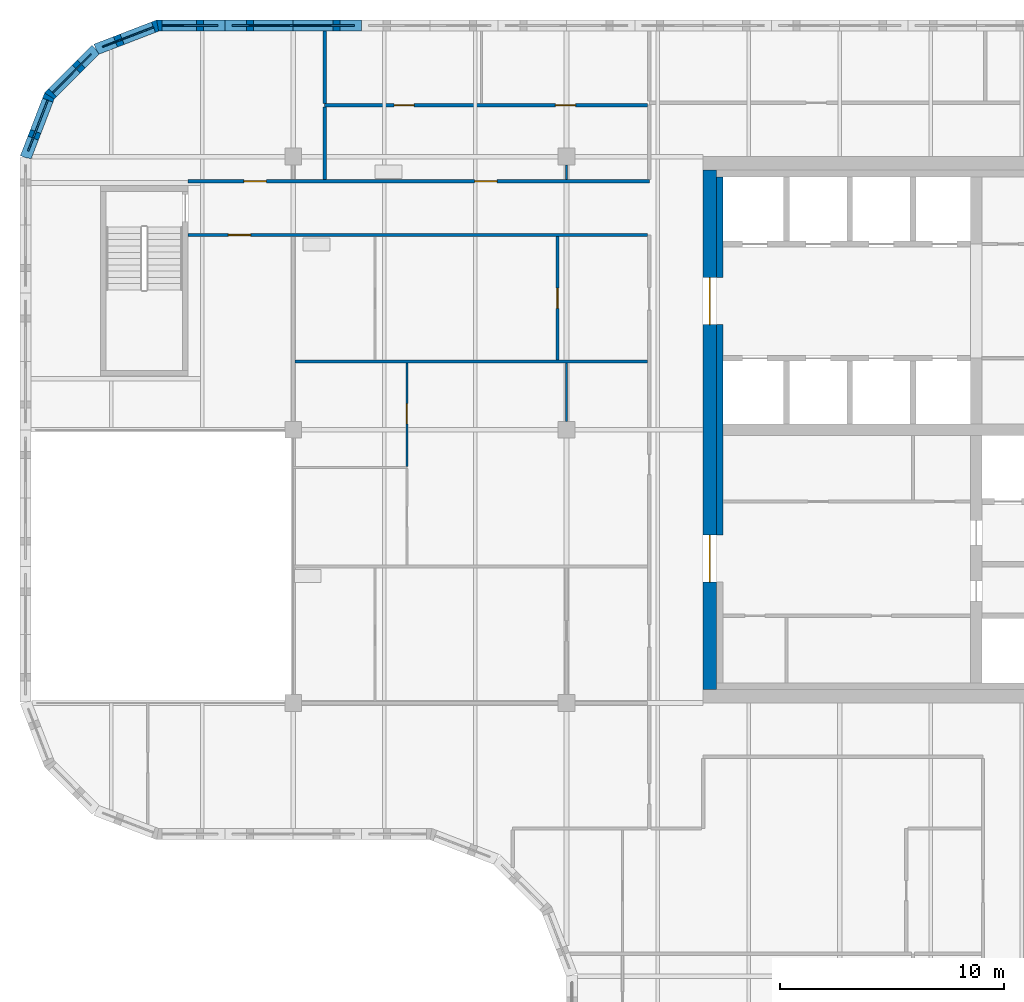
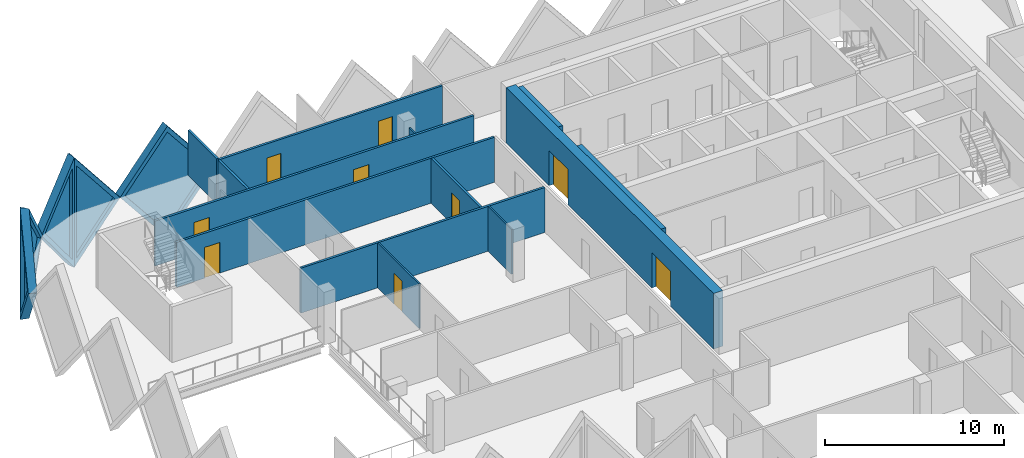
# One storey, part 7 of 12: 18 walls, 9 doors, 5 plates, 14 openings.
"""IFC4 building model written with IfcOpenShell, lengths in metres."""

from ifc_helpers import new_model, si_unit, direction, frame, frame_2d, origin, place, context, subcontext, project, spatial, polyline, rectangle, outline, extrude, faceted_brep, source, transform, mapped, material, layer, layer_set, type_object, element, fill, save


model = new_model("IFC4")

# Units and contexts
model_context = context("Model", 3, precision=1e-05, world=origin(), true_north=direction((0.0, 1.0)))
body_context = subcontext(model_context, "Body", "Model", "MODEL_VIEW")
ifc_project = project(units=[si_unit("LENGTHUNIT", "METRE"), si_unit("AREAUNIT", "SQUARE_METRE"), si_unit("VOLUMEUNIT", "CUBIC_METRE"), si_unit("PLANEANGLEUNIT", "RADIAN"), si_unit("MASSUNIT", "GRAM", prefix="KILO")], contexts=[model_context])

# Site, building, storey
site_placement = place(None, origin())
site = spatial("IfcSite", under=ifc_project, at=site_placement, CompositionType="ELEMENT")
building_placement = place(site_placement, origin())
building = spatial("IfcBuilding", under=site, at=building_placement, Name="Tessera Gate Towers", CompositionType="ELEMENT")
storey_placement = place(building_placement, frame((0.0, 0.0, 163.0)))
storey = spatial("IfcBuildingStorey", under=building, at=storey_placement, Name="L40", CompositionType="ELEMENT", Elevation=163.0)

# Wall, openings, doors
ifc_material_1 = material(Name="Concrete C50/60", Category="concrete")
ifc_layer_1 = layer(ifc_material_1, 0.60009765625)
ifc_layer_set_1 = layer_set([ifc_layer_1], Name="CORE SHEAR WALL 600 C50/60")
wall_type_1 = type_object("IfcWallType", Name="CORE SHEAR WALL 600 C50/60", PredefinedType="SHEAR", material=ifc_layer_set_1)
wall_1_placement = place(storey_placement, frame((30.800048828125, 25.0, 0.0), z_axis=(0.0, 0.0, 1.0), x_axis=(0.0, 1.0, 0.0)))
wall_1 = element("IfcWall", 1, at=wall_1_placement, inside=storey, type_object=wall_type_1, Name="Core wall W L40", PredefinedType="SHEAR", context=body_context, shape_type="SweptSolid", body=[
    extrude(rectangle(XDim=23.199951171875, YDim=0.60009765625, at=frame_2d((11.60009765625, 0.0))), origin(), (0.0, 0.0, 1.0), 3.800048828125),
])
shared_shape_1 = source(origin(), body_context, "Body", "SweptSolid", [
    extrude(rectangle(XDim=2.10009765625, YDim=2.39990234375, at=frame_2d((1.050048828125, 1.199951171875))), frame((0.0, 0.31005859375, 0.0), z_axis=(0.0, -1.0, 0.0), x_axis=(1.0, 0.0, 0.0)), (0.0, 0.0, 1.0), 0.6201171875),
])
opening_1_placement = place(wall_1_placement, frame((4.800048828125, 0.0, 0.0)))
opening_1 = element("IfcOpeningElement", 2, at=opening_1_placement, cuts=wall_1, Name="Opening DD-T1-26-02", PredefinedType="OPENING", context=body_context, shape_type="MappedRepresentation", body=[
    mapped(shared_shape_1, transform((0.0, 0.0, 0.0), scale=1.0)),
])
opening_2_placement = place(wall_1_placement, frame((16.300048828125, 0.0, 0.0)))
opening_2 = element("IfcOpeningElement", 3, at=opening_2_placement, cuts=wall_1, Name="Opening DD-T1-26-03", PredefinedType="OPENING", context=body_context, shape_type="MappedRepresentation", body=[
    mapped(shared_shape_1, transform((0.0, 0.0, 0.0), scale=1.0)),
])
ifc_material_2 = material(Name="Hollow steel fire door", Category="steel")
door_type_1 = type_object("IfcDoorType", Name="CORE DOOR DD 2100x2400", OperationType="NOTDEFINED", PredefinedType="DOOR", material=ifc_material_2)
shared_shape_2 = source(origin(), body_context, "Body", "SweptSolid", [
    extrude(rectangle(XDim=2.10009765625, YDim=2.39990234375, at=frame_2d((1.050048828125, 1.199951171875))), frame((0.0, 0.02490234375, 0.0), z_axis=(0.0, -1.0, 0.0), x_axis=(1.0, 0.0, 0.0)), (0.0, 0.0, 1.0), 0.050048828125),
])
door_1_placement = place(opening_1_placement, origin())
door_1 = element("IfcDoor", 4, at=door_1_placement, inside=storey, type_object=door_type_1, Name="Core entrance door", OperationType="DOUBLE_DOOR_SINGLE_SWING", OverallHeight=2.39990234375, OverallWidth=2.10009765625, PredefinedType="DOOR", context=body_context, shape_type="MappedRepresentation", body=[
    mapped(shared_shape_2, transform((0.0, 0.0, 0.0), scale=1.0)),
])
fill(opening_1, door_1)
door_2_placement = place(opening_2_placement, origin())
door_2 = element("IfcDoor", 5, at=door_2_placement, inside=storey, type_object=door_type_1, Name="Core entrance door", OperationType="DOUBLE_DOOR_SINGLE_SWING", OverallHeight=2.39990234375, OverallWidth=2.10009765625, PredefinedType="DOOR", context=body_context, shape_type="MappedRepresentation", body=[
    mapped(shared_shape_2, transform((0.0, 0.0, 0.0), scale=1.0)),
])
fill(opening_2, door_2)

# Walls
ifc_material_3 = material(Name="Concrete C50/60", Category="concrete")
ifc_layer_2 = layer(ifc_material_3, 0.300048828125)
ifc_layer_set_2 = layer_set([ifc_layer_2], Name="CORE WALL THICKENING 300")
wall_type_2 = type_object("IfcWallType", Name="CORE WALL THICKENING 300", PredefinedType="SOLIDWALL", material=ifc_layer_set_2)
wall_2_placement = place(storey_placement, frame((31.25, 31.89990234375, 0.0), z_axis=(0.0, 0.0, 1.0), x_axis=(0.0, 1.0, 0.0)))
element("IfcWall", 6, at=wall_2_placement, inside=storey, type_object=wall_type_2, Name="Core wall thickening W L40", PredefinedType="SOLIDWALL", context=body_context, shape_type="SweptSolid", body=[
    extrude(rectangle(XDim=9.400146484375, YDim=0.300048828125, at=frame_2d((4.7001953125, 0.0))), origin(), (0.0, 0.0, 1.0), 3.800048828125),
])
wall_3_placement = place(storey_placement, frame((31.25, 43.39990234375, 0.0), z_axis=(0.0, 0.0, 1.0), x_axis=(0.0, 1.0, 0.0)))
element("IfcWall", 7, at=wall_3_placement, inside=storey, type_object=wall_type_2, Name="Core wall thickening W L40", PredefinedType="SOLIDWALL", context=body_context, shape_type="SweptSolid", body=[
    extrude(rectangle(XDim=4.5, YDim=0.300048828125, at=frame_2d((2.25, 0.0))), origin(), (0.0, 0.0, 1.0), 3.800048828125),
])

# Wall, opening, door
ifc_material_4 = material(Name="Gypsum board on steel studs, mineral wool", Category="steel")
ifc_layer_3 = layer(ifc_material_4, 0.14990234375)
ifc_layer_set_3 = layer_set([ifc_layer_3], Name="CORRIDOR WALL 150")
wall_type_3 = type_object("IfcWallType", Name="CORRIDOR WALL 150", PredefinedType="PARTITIONING", material=ifc_layer_set_3)
wall_4_placement = place(storey_placement, frame((28.02392578125, 45.300048828125, 0.0), z_axis=(0.0, 0.0, 1.0), x_axis=(-1.0, 0.0, 0.0)))
wall_4 = element("IfcWall", 8, at=wall_4_placement, inside=storey, type_object=wall_type_3, Name="T1-L40-PW-039", PredefinedType="PARTITIONING", context=body_context, shape_type="SweptSolid", body=[
    extrude(rectangle(XDim=20.52392578125, YDim=0.14990234375, at=frame_2d((10.261962890625, 0.0))), origin(), (0.0, 0.0, 1.0), 3.06689453125),
])
shared_shape_3 = source(origin(), body_context, "Body", "SweptSolid", [
    extrude(rectangle(XDim=1.0, YDim=2.10009765625, at=frame_2d((0.5, 1.050048828125))), frame((0.0, 0.0849609375, 0.0), z_axis=(0.0, -1.0, 0.0), x_axis=(1.0, 0.0, 0.0)), (0.0, 0.0, 1.0), 0.169921875),
])
opening_3_placement = place(wall_4_placement, frame((17.72412109375, 0.0, 0.0)))
opening_3 = element("IfcOpeningElement", 9, at=opening_3_placement, cuts=wall_4, Name="Opening D2100FD60-A14-01", PredefinedType="OPENING", context=body_context, shape_type="MappedRepresentation", body=[
    mapped(shared_shape_3, transform((0.0, 0.0, 0.0), scale=1.0)),
])
ifc_material_5 = material(Name="Timber door leaf in steel frame", Category="steel")
door_type_2 = type_object("IfcDoorType", Name="TENANCY ENTRANCE DOOR 1000 FD60", OperationType="NOTDEFINED", PredefinedType="DOOR", material=ifc_material_5)
shared_shape_4 = source(origin(), body_context, "Body", "SweptSolid", [
    extrude(rectangle(XDim=1.0, YDim=2.10009765625, at=frame_2d((0.5, 1.050048828125))), frame((0.0, 0.02490234375, 0.0), z_axis=(0.0, -1.0, 0.0), x_axis=(1.0, 0.0, 0.0)), (0.0, 0.0, 1.0), 0.050048828125),
])
door_3_placement = place(opening_3_placement, origin())
door_3 = element("IfcDoor", 10, at=door_3_placement, inside=storey, type_object=door_type_2, Name="T1-L40-PD-005", OperationType="SINGLE_SWING_RIGHT", OverallHeight=2.10009765625, OverallWidth=1.0, PredefinedType="DOOR", context=body_context, shape_type="MappedRepresentation", body=[
    mapped(shared_shape_4, transform((0.0, 0.0, 0.0), scale=1.0)),
])
fill(opening_3, door_3)

# Wall, openings, doors
wall_5_placement = place(storey_placement, frame((7.5, 47.699951171875, 0.0), z_axis=(0.0, 0.0, 1.0), x_axis=(1.0, 0.0, 0.0)))
wall_5 = element("IfcWall", 11, at=wall_5_placement, inside=storey, type_object=wall_type_3, Name="T1-L40-PW-040", PredefinedType="PARTITIONING", context=body_context, shape_type="SweptSolid", body=[
    extrude(rectangle(XDim=20.60009765625, YDim=0.14990234375, at=frame_2d((10.300048828125, 0.0))), origin(), (0.0, 0.0, 1.0), 3.06689453125),
])
opening_4_placement = place(wall_5_placement, frame((2.5, 0.0, 0.0)))
opening_4 = element("IfcOpeningElement", 12, at=opening_4_placement, cuts=wall_5, Name="Opening D2100FD60-A14-05", PredefinedType="OPENING", context=body_context, shape_type="MappedRepresentation", body=[
    mapped(shared_shape_3, transform((0.0, 0.0, 0.0), scale=1.0)),
])
opening_5_placement = place(wall_5_placement, frame((12.800048828125, 0.0, 0.0)))
opening_5 = element("IfcOpeningElement", 13, at=opening_5_placement, cuts=wall_5, Name="Opening D2100FD60-A14-09", PredefinedType="OPENING", context=body_context, shape_type="MappedRepresentation", body=[
    mapped(shared_shape_3, transform((0.0, 0.0, 0.0), scale=1.0)),
])
door_4_placement = place(opening_4_placement, origin())
door_4 = element("IfcDoor", 14, at=door_4_placement, inside=storey, type_object=door_type_2, Name="T1-L40-PD-016", OperationType="SINGLE_SWING_LEFT", OverallHeight=2.10009765625, OverallWidth=1.0, PredefinedType="DOOR", context=body_context, shape_type="MappedRepresentation", body=[
    mapped(shared_shape_4, transform((0.0, 0.0, 0.0), scale=1.0)),
])
fill(opening_4, door_4)
door_5_placement = place(opening_5_placement, origin())
door_5 = element("IfcDoor", 15, at=door_5_placement, inside=storey, type_object=door_type_2, Name="T1-L40-PD-026", OperationType="SINGLE_SWING_LEFT", OverallHeight=2.10009765625, OverallWidth=1.0, PredefinedType="DOOR", context=body_context, shape_type="MappedRepresentation", body=[
    mapped(shared_shape_4, transform((0.0, 0.0, 0.0), scale=1.0)),
])
fill(opening_5, door_5)

# Wall, opening, door
ifc_material_6 = material(Name="Gypsum board on steel studs", Category="steel")
ifc_layer_4 = layer(ifc_material_6, 0.10009765625)
ifc_layer_set_4 = layer_set([ifc_layer_4], Name="PARTITION 100")
wall_type_4 = type_object("IfcWallType", Name="PARTITION 100", PredefinedType="PARTITIONING", material=ifc_layer_set_4)
wall_6_placement = place(storey_placement, frame((17.27490234375, 34.97119140625, 0.0), z_axis=(0.0, 0.0, 1.0), x_axis=(0.0, 1.0, 0.0)))
wall_6 = element("IfcWall", 16, at=wall_6_placement, inside=storey, type_object=wall_type_4, Name="T1-L40-PW-033", PredefinedType="PARTITIONING", context=body_context, shape_type="SweptSolid", body=[
    extrude(rectangle(XDim=4.602783203125, YDim=0.10009765625, at=frame_2d((2.30126953125, 0.0))), origin(), (0.0, 0.0, 1.0), 3.06689453125),
])
shared_shape_5 = source(origin(), body_context, "Body", "SweptSolid", [
    extrude(rectangle(XDim=0.89990234375, YDim=2.10009765625, at=frame_2d((0.449951171875, 1.050048828125))), frame((0.0, 0.06005859375, 0.0), z_axis=(0.0, -1.0, 0.0), x_axis=(1.0, 0.0, 0.0)), (0.0, 0.0, 1.0), 0.1201171875),
])
opening_6_placement = place(wall_6_placement, frame((1.89990234375, 0.0, 0.0)))
opening_6 = element("IfcOpeningElement", 17, at=opening_6_placement, cuts=wall_6, Name="Opening D190-A14-03", PredefinedType="OPENING", context=body_context, shape_type="MappedRepresentation", body=[
    mapped(shared_shape_5, transform((0.0, 0.0, 0.0), scale=1.0)),
])
ifc_material_7 = material(Name="Timber door leaf in steel frame", Category="steel")
door_type_3 = type_object("IfcDoorType", Name="INTERNAL DOOR 900 NOT RATED", OperationType="NOTDEFINED", PredefinedType="DOOR", material=ifc_material_7)
shared_shape_6 = source(origin(), body_context, "Body", "SweptSolid", [
    extrude(rectangle(XDim=0.89990234375, YDim=2.10009765625, at=frame_2d((0.449951171875, 1.050048828125))), frame((0.0, 0.02490234375, 0.0), z_axis=(0.0, -1.0, 0.0), x_axis=(1.0, 0.0, 0.0)), (0.0, 0.0, 1.0), 0.050048828125),
])
door_6_placement = place(opening_6_placement, origin())
door_6 = element("IfcDoor", 18, at=door_6_placement, inside=storey, type_object=door_type_3, Name="T1-L40-PD-004", OperationType="SINGLE_SWING_LEFT", OverallHeight=2.10009765625, OverallWidth=0.89990234375, PredefinedType="DOOR", context=body_context, shape_type="MappedRepresentation", body=[
    mapped(shared_shape_6, transform((0.0, 0.0, 0.0), scale=1.0)),
])
fill(opening_6, door_6)

# Walls
wall_7_placement = place(storey_placement, frame((24.39990234375, 36.97509765625, 0.0), z_axis=(0.0, 0.0, 1.0), x_axis=(0.0, 1.0, 0.0)))
element("IfcWall", 19, at=wall_7_placement, inside=storey, type_object=wall_type_4, Name="T1-L40-PW-035", PredefinedType="PARTITIONING", context=body_context, shape_type="SweptSolid", body=[
    extrude(rectangle(XDim=2.599853515625, YDim=0.10009765625, at=frame_2d((1.2998046875, 0.0))), origin(), (0.0, 0.0, 1.0), 3.06689453125),
])
wall_8_placement = place(storey_placement, frame((24.39990234375, 48.425048828125, 0.0), z_axis=(0.0, 0.0, 1.0), x_axis=(0.0, -1.0, 0.0)))
element("IfcWall", 20, at=wall_8_placement, inside=storey, type_object=wall_type_4, Name="T1-L40-PW-044", PredefinedType="PARTITIONING", context=body_context, shape_type="SweptSolid", body=[
    extrude(rectangle(XDim=0.650146484375, YDim=0.10009765625, at=frame_2d((0.3251953125, 0.0))), origin(), (0.0, 0.0, 1.0), 3.06689453125),
])
ifc_material_8 = material(Name="Gypsum board on steel studs, mineral wool", Category="steel")
ifc_layer_5 = layer(ifc_material_8, 0.14990234375)
ifc_layer_set_5 = layer_set([ifc_layer_5], Name="TENANCY WALL 150")
wall_type_5 = type_object("IfcWallType", Name="TENANCY WALL 150", PredefinedType="PARTITIONING", material=ifc_layer_set_5)
wall_9_placement = place(storey_placement, frame((12.27587890625, 39.64990234375, 0.0), z_axis=(0.0, 0.0, 1.0), x_axis=(1.0, 0.0, 0.0)))
element("IfcWall", 21, at=wall_9_placement, inside=storey, type_object=wall_type_5, Name="T1-L40-PW-036", PredefinedType="PARTITIONING", context=body_context, shape_type="SweptSolid", body=[
    extrude(rectangle(XDim=15.748046875, YDim=0.14990234375, at=frame_2d((7.8740234375, 0.0))), origin(), (0.0, 0.0, 1.0), 3.06689453125),
])

# Wall, opening, door
wall_10_placement = place(storey_placement, frame((24.0, 39.72607421875, 0.0), z_axis=(0.0, 0.0, 1.0), x_axis=(0.0, 1.0, 0.0)))
wall_10 = element("IfcWall", 22, at=wall_10_placement, inside=storey, type_object=wall_type_5, Name="T1-L40-PW-038", PredefinedType="PARTITIONING", context=body_context, shape_type="SweptSolid", body=[
    extrude(rectangle(XDim=5.498046875, YDim=0.14990234375, at=frame_2d((2.7490234375, 0.0))), origin(), (0.0, 0.0, 1.0), 3.06689453125),
])
shared_shape_7 = source(origin(), body_context, "Body", "SweptSolid", [
    extrude(rectangle(XDim=0.89990234375, YDim=2.10009765625, at=frame_2d((0.449951171875, 1.050048828125))), frame((0.0, 0.0849609375, 0.0), z_axis=(0.0, -1.0, 0.0), x_axis=(1.0, 0.0, 0.0)), (0.0, 0.0, 1.0), 0.169921875),
])
opening_7_placement = place(wall_10_placement, frame((2.300048828125, 0.0, 0.0)))
opening_7 = element("IfcOpeningElement", 23, at=opening_7_placement, cuts=wall_10, Name="Opening D190-A14-05", PredefinedType="OPENING", context=body_context, shape_type="MappedRepresentation", body=[
    mapped(shared_shape_7, transform((0.0, 0.0, 0.0), scale=1.0)),
])
door_7_placement = place(opening_7_placement, origin())
door_7 = element("IfcDoor", 24, at=door_7_placement, inside=storey, type_object=door_type_3, Name="T1-L40-PD-008", OperationType="SINGLE_SWING_LEFT", OverallHeight=2.10009765625, OverallWidth=0.89990234375, PredefinedType="DOOR", context=body_context, shape_type="MappedRepresentation", body=[
    mapped(shared_shape_6, transform((0.0, 0.0, 0.0), scale=1.0)),
])
fill(opening_7, door_7)

# Wall
wall_11_placement = place(storey_placement, frame((13.60009765625, 47.77587890625, 0.0), z_axis=(0.0, 0.0, 1.0), x_axis=(0.0, 1.0, 0.0)))
element("IfcWall", 25, at=wall_11_placement, inside=storey, type_object=wall_type_5, Name="T1-L40-PW-041", PredefinedType="PARTITIONING", context=body_context, shape_type="SweptSolid", body=[
    extrude(rectangle(XDim=3.248046875, YDim=0.14990234375, at=frame_2d((1.6240234375, 0.0))), origin(), (0.0, 0.0, 1.0), 3.06689453125),
])

# Wall, openings, doors
wall_12_placement = place(storey_placement, frame((13.60009765625, 51.10009765625, 0.0), z_axis=(0.0, 0.0, 1.0), x_axis=(1.0, 0.0, 0.0)))
wall_12 = element("IfcWall", 26, at=wall_12_placement, inside=storey, type_object=wall_type_5, Name="T1-L40-PW-045", PredefinedType="PARTITIONING", context=body_context, shape_type="SweptSolid", body=[
    extrude(rectangle(XDim=14.423828125, YDim=0.14990234375, at=frame_2d((7.2119140625, 0.0))), origin(), (0.0, 0.0, 1.0), 3.06689453125),
])
opening_8_placement = place(wall_12_placement, frame((3.10009765625, 0.0, 0.0)))
opening_8 = element("IfcOpeningElement", 27, at=opening_8_placement, cuts=wall_12, Name="Opening D190-A14-10", PredefinedType="OPENING", context=body_context, shape_type="MappedRepresentation", body=[
    mapped(shared_shape_7, transform((0.0, 0.0, 0.0), scale=1.0)),
])
opening_9_placement = place(wall_12_placement, frame((10.3046875, 0.0, 0.0)))
opening_9 = element("IfcOpeningElement", 28, at=opening_9_placement, cuts=wall_12, Name="Opening D190-A14-11", PredefinedType="OPENING", context=body_context, shape_type="MappedRepresentation", body=[
    mapped(shared_shape_7, transform((0.0, 0.0, 0.0), scale=1.0)),
])
door_8_placement = place(opening_8_placement, origin())
door_8 = element("IfcDoor", 29, at=door_8_placement, inside=storey, type_object=door_type_3, Name="T1-L40-PD-018", OperationType="SINGLE_SWING_LEFT", OverallHeight=2.10009765625, OverallWidth=0.89990234375, PredefinedType="DOOR", context=body_context, shape_type="MappedRepresentation", body=[
    mapped(shared_shape_6, transform((0.0, 0.0, 0.0), scale=1.0)),
])
fill(opening_8, door_8)
door_9_placement = place(opening_9_placement, origin())
door_9 = element("IfcDoor", 30, at=door_9_placement, inside=storey, type_object=door_type_3, Name="T1-L40-PD-019", OperationType="SINGLE_SWING_LEFT", OverallHeight=2.10009765625, OverallWidth=0.89990234375, PredefinedType="DOOR", context=body_context, shape_type="MappedRepresentation", body=[
    mapped(shared_shape_6, transform((0.0, 0.0, 0.0), scale=1.0)),
])
fill(opening_9, door_9)

# Wall
wall_13_placement = place(storey_placement, frame((13.60009765625, 51.176025390625, 0.0), z_axis=(0.0, 0.0, 1.0), x_axis=(0.0, 1.0, 0.0)))
element("IfcWall", 31, at=wall_13_placement, inside=storey, type_object=wall_type_5, Name="T1-L40-PW-046", PredefinedType="PARTITIONING", context=body_context, shape_type="SweptSolid", body=[
    extrude(rectangle(XDim=3.223876953125, YDim=0.14990234375, at=frame_2d((1.61181640625, 0.0))), origin(), (0.0, 0.0, 1.0), 3.06689453125),
])

# Wall, opening, plate
ifc_material_9 = material(Name="Precast concrete C60/75 white", Category="concrete")
ifc_layer_6 = layer(ifc_material_9, 0.5)
ifc_layer_set_6 = layer_set([ifc_layer_6], Name="TS1 tessera")
wall_type_6 = type_object("IfcWallType", Name="TS1 tessera", PredefinedType="SOLIDWALL", material=ifc_layer_set_6)
shared_shape_8 = source(origin(), body_context, "Body", "SweptSolid", [
    extrude(outline(polyline([(3.050048828125, 0.0), (6.10009765625, 3.800048828125), (3.050048828125, 7.60009765625), (0.0, 3.800048828125), (3.050048828125, 0.0)])), frame((0.0, 0.25, 0.0), z_axis=(0.0, -1.0, 0.0), x_axis=(1.0, 0.0, 0.0)), (0.0, 0.0, 1.0), 0.5),
])
wall_14_placement = place(storey_placement, frame((15.25, 54.64990234375, -3.800048828125), z_axis=(0.0, 0.0, 1.0), x_axis=(-1.0, 0.0, 0.0)))
wall_14 = element("IfcWall", 32, at=wall_14_placement, inside=storey, type_object=wall_type_6, Name="Precast tessera T1 TS1-0683", PredefinedType="SOLIDWALL", context=body_context, shape_type="MappedRepresentation", body=[
    mapped(shared_shape_8, transform((0.0, 0.0, 0.0), scale=1.0)),
])
shared_shape_9 = source(origin(), body_context, "Body", "SweptSolid", [
    extrude(outline(polyline([(3.050048828125, 0.3994140625), (5.779541015625, 3.800048828125), (3.050048828125, 7.20068359375), (0.320556640625, 3.800048828125), (3.050048828125, 0.3994140625)])), frame((0.0, 0.260009765625, 0.0), z_axis=(0.0, -1.0, 0.0), x_axis=(1.0, 0.0, 0.0)), (0.0, 0.0, 1.0), 0.52001953125),
])
opening_10_placement = place(wall_14_placement, origin())
opening_10 = element("IfcOpeningElement", 33, at=opening_10_placement, cuts=wall_14, Name="Opening T1-PL2-1389", PredefinedType="OPENING", context=body_context, shape_type="MappedRepresentation", body=[
    mapped(shared_shape_9, transform((0.0, 0.0, 0.0), scale=1.0)),
])
ifc_material_10 = material(Name="Low-e laminated glass", Category="glass")
ifc_layer_7 = layer(ifc_material_10, 0.06005859375)
ifc_layer_set_7 = layer_set([ifc_layer_7], Name="PL2 rhombic pane")
plate_type = type_object("IfcPlateType", Name="PL2 rhombic pane", PredefinedType="SHEET", material=ifc_layer_set_7)
shared_shape_10 = source(origin(), body_context, "Body", "SweptSolid", [
    extrude(outline(polyline([(3.050048828125, 0.3994140625), (5.779541015625, 3.800048828125), (3.050048828125, 7.20068359375), (0.320556640625, 3.800048828125), (3.050048828125, 0.3994140625)])), frame((0.0, 0.030029296875, 0.0), z_axis=(0.0, -1.0, 0.0), x_axis=(1.0, 0.0, 0.0)), (0.0, 0.0, 1.0), 0.06005859375),
])
plate_1_placement = place(opening_10_placement, origin())
plate_1 = element("IfcPlate", 34, at=plate_1_placement, inside=storey, type_object=plate_type, Name="Glass pane T1 PL2-1389", PredefinedType="SHEET", context=body_context, shape_type="MappedRepresentation", body=[
    mapped(shared_shape_10, transform((0.0, 0.0, 0.0), scale=1.0)),
])
fill(opening_10, plate_1)

ifc_material_11 = material(Name="Precast concrete C60/75 white", Category="concrete")
ifc_layer_8 = layer(ifc_material_11, 0.5)
ifc_layer_set_8 = layer_set([ifc_layer_8], Name="TS3 corner tessera")
wall_type_7 = type_object("IfcWallType", Name="TS3 corner tessera", PredefinedType="SOLIDWALL", material=ifc_layer_set_8)
shared_shape_11 = source(origin(), body_context, "Body", "Brep", [
    faceted_brep([(3.00341796875, -0.25, 0.0), (3.050048828125, -0.25, 0.06005859375), (3.050048828125, -0.25, 7.5400390625), (3.00341796875, -0.25, 7.60009765625), (0.0, -0.25, 3.800048828125), (0.0, 0.25, 3.800048828125), (2.956787109375, 0.25, 7.541259765625), (2.956787109375, 0.25, 0.058837890625), (3.00341796875, 0.000244140625, 0.0), (3.00341796875, 0.000244140625, 7.60009765625)], [[[0, 1, 2, 3, 4]], [[5, 6, 7]], [[1, 0, 8]], [[9, 3, 2]], [[6, 5, 4, 3, 9]], [[5, 7, 8, 0, 4]], [[1, 8, 7, 6, 9, 2]]]),
])
wall_15_placement = place(storey_placement, frame((9.14990234375, 54.64990234375, -3.800048828125), z_axis=(0.0, 0.0, 1.0), x_axis=(-1.0, 0.0, 0.0)))
wall_15 = element("IfcWall", 35, at=wall_15_placement, inside=storey, type_object=wall_type_7, Name="Precast corner tessera T1 TS3-0923", PredefinedType="SOLIDWALL", context=body_context, shape_type="MappedRepresentation", body=[
    mapped(shared_shape_11, transform((0.0, 0.0, 0.0), scale=1.0)),
])
shared_shape_12 = source(origin(), body_context, "Body", "SweptSolid", [
    extrude(outline(polyline([(2.803466796875, 6.94384765625), (0.318603515625, 3.800048828125), (2.803466796875, 0.65625), (2.803466796875, 6.94384765625)])), frame((0.0, 0.260009765625, 0.0), z_axis=(0.0, -1.0, 0.0), x_axis=(1.0, 0.0, 0.0)), (0.0, 0.0, 1.0), 0.52001953125),
])
opening_11_placement = place(wall_15_placement, origin())
opening_11 = element("IfcOpeningElement", 36, at=opening_11_placement, cuts=wall_15, Name="Opening T1-PL2-1390", PredefinedType="OPENING", context=body_context, shape_type="MappedRepresentation", body=[
    mapped(shared_shape_12, transform((0.0, 0.0, 0.0), scale=1.0)),
])
shared_shape_13 = source(origin(), body_context, "Body", "SweptSolid", [
    extrude(outline(polyline([(2.803466796875, 6.94384765625), (0.318603515625, 3.800048828125), (2.803466796875, 0.65625), (2.803466796875, 6.94384765625)])), frame((0.0, 0.030029296875, 0.0), z_axis=(0.0, -1.0, 0.0), x_axis=(1.0, 0.0, 0.0)), (0.0, 0.0, 1.0), 0.06005859375),
])
plate_2_placement = place(opening_11_placement, origin())
plate_2 = element("IfcPlate", 37, at=plate_2_placement, inside=storey, type_object=plate_type, Name="Glass pane T1 PL2-1390", PredefinedType="SHEET", context=body_context, shape_type="MappedRepresentation", body=[
    mapped(shared_shape_13, transform((0.0, 0.0, 0.0), scale=1.0)),
])
fill(opening_11, plate_2)

shared_shape_14 = source(origin(), body_context, "Body", "Brep", [
    faceted_brep([(0.046630859375, -0.25, 0.0), (2.9970703125, -0.25, 3.800048828125), (0.046630859375, -0.25, 7.60009765625), (0.0, -0.25, 7.541259765625), (0.0, -0.25, 0.058837890625), (0.09326171875, 0.25, 7.5400390625), (2.9443359375, 0.25, 3.8681640625), (2.9443359375, 0.25, 3.73193359375), (0.09326171875, 0.25, 0.06005859375), (2.9970703125, 0.00048828125, 3.800048828125), (0.046630859375, 0.0, 0.0), (0.046630859375, 0.0, 7.60009765625)], [[[0, 1, 2, 3, 4]], [[5, 6, 7, 8]], [[8, 7, 9, 1, 0, 10]], [[6, 5, 11, 2, 1, 9]], [[3, 2, 11]], [[10, 0, 4]], [[8, 10, 4, 3, 11, 5]], [[9, 7, 6]]]),
])
wall_16_placement = place(storey_placement, frame((6.18994140625, 54.666748046875, -3.800048828125), z_axis=(0.0, 0.0, 1.0), x_axis=(-0.932990326376, -0.359901446078, 0.0)))
wall_16 = element("IfcWall", 38, at=wall_16_placement, inside=storey, type_object=wall_type_7, Name="Precast corner tessera T1 TS3-0924", PredefinedType="SOLIDWALL", context=body_context, shape_type="MappedRepresentation", body=[
    mapped(shared_shape_14, transform((0.0, 0.0, 0.0), scale=1.0)),
])
shared_shape_15 = source(origin(), body_context, "Body", "SweptSolid", [
    extrude(outline(polyline([(0.24658203125, 0.665283203125), (2.6806640625, 3.800048828125), (0.24658203125, 6.934814453125), (0.24658203125, 0.665283203125)])), frame((0.0, 0.260009765625, 0.0), z_axis=(0.0, -1.0, 0.0), x_axis=(1.0, 0.0, 0.0)), (0.0, 0.0, 1.0), 0.52001953125),
])
opening_12_placement = place(wall_16_placement, origin())
opening_12 = element("IfcOpeningElement", 39, at=opening_12_placement, cuts=wall_16, Name="Opening T1-PL2-1391", PredefinedType="OPENING", context=body_context, shape_type="MappedRepresentation", body=[
    mapped(shared_shape_15, transform((0.0, 0.0, 0.0), scale=1.0)),
])
shared_shape_16 = source(origin(), body_context, "Body", "SweptSolid", [
    extrude(outline(polyline([(0.24658203125, 0.665283203125), (2.6806640625, 3.800048828125), (0.24658203125, 6.934814453125), (0.24658203125, 0.665283203125)])), frame((0.0, 0.030029296875, 0.0), z_axis=(0.0, -1.0, 0.0), x_axis=(1.0, 0.0, 0.0)), (0.0, 0.0, 1.0), 0.06005859375),
])
plate_3_placement = place(opening_12_placement, origin())
plate_3 = element("IfcPlate", 40, at=plate_3_placement, inside=storey, type_object=plate_type, Name="Glass pane T1 PL2-1391", PredefinedType="SHEET", context=body_context, shape_type="MappedRepresentation", body=[
    mapped(shared_shape_16, transform((0.0, 0.0, 0.0), scale=1.0)),
])
fill(opening_12, plate_3)

shared_shape_17 = source(origin(), body_context, "Body", "Brep", [
    faceted_brep([(0.052978515625, -0.25, 0.0), (3.00341796875, -0.25, 3.800048828125), (0.052978515625, -0.25, 7.60009765625), (0.0, -0.25, 7.53173828125), (0.0, -0.25, 0.068359375), (0.10595703125, 0.25, 7.531982421875), (2.95703125, 0.25, 3.85986328125), (2.95703125, 0.25, 3.740234375), (0.10595703125, 0.25, 0.068115234375), (3.00341796875, 0.00048828125, 3.800048828125), (0.052978515625, 0.0, 0.0), (0.052978515625, 0.0, 7.60009765625)], [[[0, 1, 2, 3, 4]], [[5, 6, 7, 8]], [[8, 7, 9, 1, 0, 10]], [[6, 5, 11, 2, 1, 9]], [[3, 2, 11]], [[10, 0, 4]], [[8, 10, 4, 3, 11, 5]], [[9, 7, 6]]]),
])
wall_17_placement = place(storey_placement, frame((1.3310546875, 51.5556640625, -3.800048828125), z_axis=(0.0, 0.0, 1.0), x_axis=(-0.35992665181, -0.932980602862, 0.0)))
wall_17 = element("IfcWall", 41, at=wall_17_placement, inside=storey, type_object=wall_type_7, Name="Precast corner tessera T1 TS3-0926", PredefinedType="SOLIDWALL", context=body_context, shape_type="MappedRepresentation", body=[
    mapped(shared_shape_17, transform((0.0, 0.0, 0.0), scale=1.0)),
])
shared_shape_18 = source(origin(), body_context, "Body", "SweptSolid", [
    extrude(outline(polyline([(0.2529296875, 0.665283203125), (2.68701171875, 3.800048828125), (0.2529296875, 6.934814453125), (0.2529296875, 0.665283203125)])), frame((0.0, 0.260009765625, 0.0), z_axis=(0.0, -1.0, 0.0), x_axis=(1.0, 0.0, 0.0)), (0.0, 0.0, 1.0), 0.52001953125),
])
opening_13_placement = place(wall_17_placement, origin())
opening_13 = element("IfcOpeningElement", 42, at=opening_13_placement, cuts=wall_17, Name="Opening T1-PL2-1393", PredefinedType="OPENING", context=body_context, shape_type="MappedRepresentation", body=[
    mapped(shared_shape_18, transform((0.0, 0.0, 0.0), scale=1.0)),
])
shared_shape_19 = source(origin(), body_context, "Body", "SweptSolid", [
    extrude(outline(polyline([(0.2529296875, 0.665283203125), (2.68701171875, 3.800048828125), (0.2529296875, 6.934814453125), (0.2529296875, 0.665283203125)])), frame((0.0, 0.030029296875, 0.0), z_axis=(0.0, -1.0, 0.0), x_axis=(1.0, 0.0, 0.0)), (0.0, 0.0, 1.0), 0.06005859375),
])
plate_4_placement = place(opening_13_placement, origin())
plate_4 = element("IfcPlate", 43, at=plate_4_placement, inside=storey, type_object=plate_type, Name="Glass pane T1 PL2-1393", PredefinedType="SHEET", context=body_context, shape_type="MappedRepresentation", body=[
    mapped(shared_shape_19, transform((0.0, 0.0, 0.0), scale=1.0)),
])
fill(opening_13, plate_4)

shared_shape_20 = source(origin(), body_context, "Body", "Brep", [
    faceted_brep([(2.944091796875, -0.25, 0.0), (2.9970703125, -0.25, 0.068115234375), (2.9970703125, -0.25, 7.531982421875), (2.944091796875, -0.25, 7.60009765625), (0.0, -0.25, 3.800048828125), (0.052978515625, 0.25, 3.868408203125), (2.89111328125, 0.25, 7.531982421875), (2.89111328125, 0.25, 0.068115234375), (0.052978515625, 0.25, 3.731689453125), (2.944091796875, 0.000244140625, 0.0), (2.944091796875, 0.000244140625, 7.60009765625), (0.0, 0.0, 3.800048828125)], [[[0, 1, 2, 3, 4]], [[5, 6, 7, 8]], [[1, 0, 9]], [[10, 3, 2]], [[6, 5, 11, 4, 3, 10]], [[8, 7, 9, 0, 4, 11]], [[8, 11, 5]], [[1, 9, 7, 6, 10, 2]]]),
])
wall_18_placement = place(storey_placement, frame((3.393798828125, 53.588134765625, -3.800048828125), z_axis=(0.0, 0.0, 1.0), x_axis=(-0.707106781187, -0.707106781187, 0.0)))
wall_18 = element("IfcWall", 44, at=wall_18_placement, inside=storey, type_object=wall_type_7, Name="Precast corner tessera T1 TS3-0925", PredefinedType="SOLIDWALL", context=body_context, shape_type="MappedRepresentation", body=[
    mapped(shared_shape_20, transform((0.0, 0.0, 0.0), scale=1.0)),
])
shared_shape_21 = source(origin(), body_context, "Body", "SweptSolid", [
    extrude(outline(polyline([(2.744140625, 6.933837890625), (0.316162109375, 3.800048828125), (2.744140625, 0.666259765625), (2.744140625, 6.933837890625)])), frame((0.0, 0.260009765625, 0.0), z_axis=(0.0, -1.0, 0.0), x_axis=(1.0, 0.0, 0.0)), (0.0, 0.0, 1.0), 0.52001953125),
])
opening_14_placement = place(wall_18_placement, origin())
opening_14 = element("IfcOpeningElement", 45, at=opening_14_placement, cuts=wall_18, Name="Opening T1-PL2-1392", PredefinedType="OPENING", context=body_context, shape_type="MappedRepresentation", body=[
    mapped(shared_shape_21, transform((0.0, 0.0, 0.0), scale=1.0)),
])
shared_shape_22 = source(origin(), body_context, "Body", "SweptSolid", [
    extrude(outline(polyline([(2.744140625, 6.933837890625), (0.316162109375, 3.800048828125), (2.744140625, 0.666259765625), (2.744140625, 6.933837890625)])), frame((0.0, 0.030029296875, 0.0), z_axis=(0.0, -1.0, 0.0), x_axis=(1.0, 0.0, 0.0)), (0.0, 0.0, 1.0), 0.06005859375),
])
plate_5_placement = place(opening_14_placement, origin())
plate_5 = element("IfcPlate", 46, at=plate_5_placement, inside=storey, type_object=plate_type, Name="Glass pane T1 PL2-1392", PredefinedType="SHEET", context=body_context, shape_type="MappedRepresentation", body=[
    mapped(shared_shape_22, transform((0.0, 0.0, 0.0), scale=1.0)),
])
fill(opening_14, plate_5)

save(model, "model.ifc")
